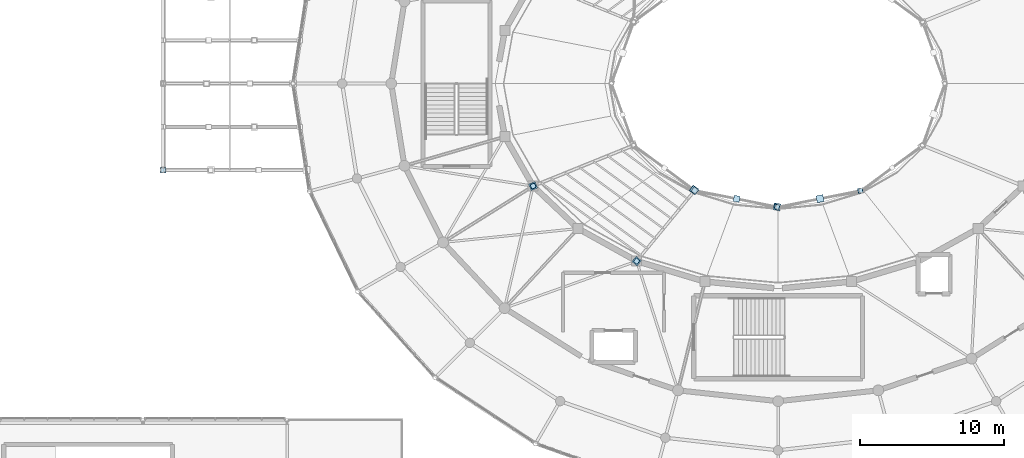
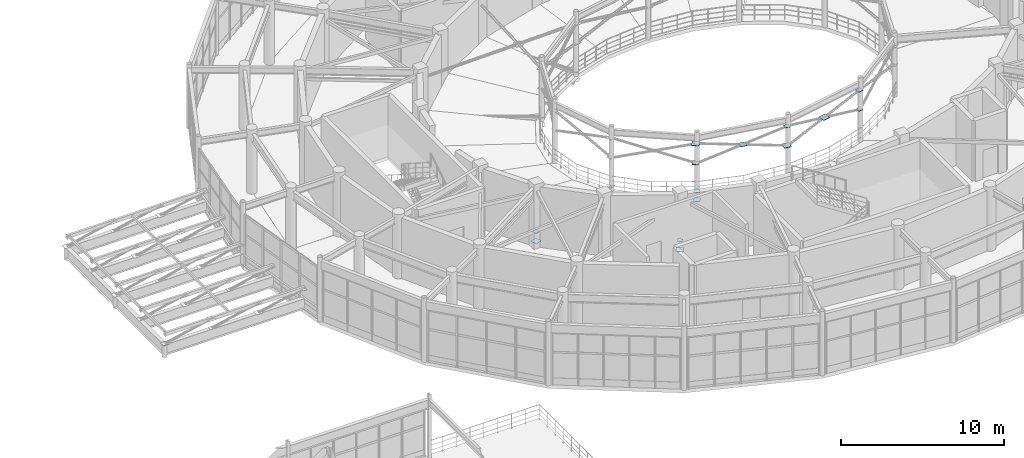
# One storey, part 93 of 144: 15 plates.
"""IFC4 building model written with IfcOpenShell, lengths in metres."""

from ifc_helpers import new_model, si_unit, direction, frame, origin, origin_2d, place, context, subcontext, project, spatial, rectangle, extrude, material, layer, layer_set, type_object, element, save


model = new_model("IFC4")

# Units and contexts
model_context = context("Model", 3, precision=1e-05, world=origin(), true_north=direction((0.0, 1.0)))
body_context = subcontext(model_context, "Body", "Model", "MODEL_VIEW")
ifc_project = project(units=[si_unit("LENGTHUNIT", "METRE"), si_unit("AREAUNIT", "SQUARE_METRE"), si_unit("VOLUMEUNIT", "CUBIC_METRE"), si_unit("PLANEANGLEUNIT", "RADIAN"), si_unit("MASSUNIT", "GRAM", prefix="KILO")], contexts=[model_context])

# Site, building, storey
site_placement = place(None, origin())
site = spatial("IfcSite", under=ifc_project, at=site_placement, CompositionType="ELEMENT")
building_placement = place(site_placement, origin())
building = spatial("IfcBuilding", under=site, at=building_placement, Name="Cinderbank Siding Concert Hall", CompositionType="ELEMENT")
storey_placement = place(building_placement, frame((0.0, 0.0, 5.39990234375)))
storey = spatial("IfcBuildingStorey", under=building, at=storey_placement, Name="L02", CompositionType="ELEMENT", Elevation=5.39990234375)

# Plates
ifc_material = material(Name="Structural steel welded plate section AS/NZS 3679.2 / AS/NZS 3678 Grade 350 (340 MPa)", Category="steel")
ifc_layer_1 = layer(ifc_material, 0.02490234375)
ifc_layer_set_1 = layer_set([ifc_layer_1], Name="Structural steel welded plate section AS/NZS 3679.2 / AS/NZS 3678 Grade 350 (340 MPa)")
plate_type_1 = type_object("IfcPlateType", Name="GP-01 Steel Gusset Cap Plate 480x480x25", PredefinedType="SHEET", material=ifc_layer_set_1)
for number, where, z_axis, x_axis, name in (
    (1, (105.02587890625, 36.89990234375, 0.28759765625), (0.0, 0.0, 1.0), (0.926791059146, 0.375577332499, 0.0), "L02 Steel Node Gusset Plate GP-01 #1020"),
    (2, (112.199951171875, 31.702392578125, 0.28759765625), (0.0, 0.0, 1.0), (0.635269828282, 0.77229025973, 0.0), "L02 Steel Node Gusset Plate GP-01 #1024"),
    (3, (116.16064453125, 36.64306640625, 3.82763671875), (0.0, 0.0, 1.0), (0.803753032213, -0.59496307718, 0.0), "L02 Steel Node Gusset Plate GP-01 #1140"),
    (4, (121.92138671875, 35.465576171875, 2.3876953125), (0.0, 0.0, 1.0), (-0.980887295008, 0.194576757325, 0.0), "L02 Steel Node Gusset Plate GP-01 #1144"),
    (5, (124.90185546875, 36.025634765625, 3.10400390625), (0.0, 0.0, 1.0), (-0.980887295008, -0.194576757325, 0.0), "L02 Steel Node Gusset Plate GP-01 #1148"),
):
    element("IfcPlate", number, at=place(storey_placement, frame(where, z_axis=z_axis, x_axis=x_axis)), inside=storey, type_object=plate_type_1, Name=name, PredefinedType="SHEET", context=body_context, shape_type="SweptSolid", body=[
        extrude(rectangle(XDim=0.47998046875, YDim=0.47998046875, at=origin_2d()), origin(), (0.0, 0.0, 1.0), 0.02490234375),
    ])
ifc_layer_2 = layer(ifc_material, 0.02197265625)
ifc_layer_set_2 = layer_set([ifc_layer_2], Name="Structural steel welded plate section AS/NZS 3679.2 / AS/NZS 3678 Grade 350 (340 MPa)")
plate_type_2 = type_object("IfcPlateType", Name="GP-02 Steel Gusset Cap Plate 420x420x22", PredefinedType="SHEET", material=ifc_layer_set_2)
for number, where, z_axis, x_axis, name in (
    (6, (116.22509765625, 36.595458984375, -0.36083984375), (0.0, 0.0, 1.0), (0.635269828282, 0.77229025973, 0.0), "L02 Steel Node Gusset Plate GP-02 #1025"),
    (7, (116.16064453125, 36.64306640625, 2.38916015625), (0.0, 0.0, 1.0), (-0.803753032213, 0.59496307718, 0.0), "L02 Steel Node Gusset Plate GP-02 #1141"),
    (8, (119.126708984375, 36.02001953125, 3.10546875), (0.0, 0.0, 1.0), (-0.980887295008, 0.194576757325, 0.0), "L02 Steel Node Gusset Plate GP-02 #1145"),
):
    element("IfcPlate", number, at=place(storey_placement, frame(where, z_axis=z_axis, x_axis=x_axis)), inside=storey, type_object=plate_type_2, Name=name, PredefinedType="SHEET", context=body_context, shape_type="SweptSolid", body=[
        extrude(rectangle(XDim=0.419921875, YDim=0.419921875, at=origin_2d()), origin(), (0.0, 0.0, 1.0), 0.02197265625),
    ])
ifc_layer_3 = layer(ifc_material, 0.02001953125)
ifc_layer_set_3 = layer_set([ifc_layer_3], Name="Structural steel welded plate section AS/NZS 3679.2 / AS/NZS 3678 Grade 350 (340 MPa)")
plate_type_3 = type_object("IfcPlateType", Name="GP-03 Steel Gusset Cap Plate 360x360x20", PredefinedType="SHEET", material=ifc_layer_set_3)
for number, where, z_axis, x_axis, name in (
    (9, (79.39990234375, 38.0, 0.93017578125), (0.0, 0.0, 1.0), (1.0, 0.0, 0.0), "L02 Column End Cap Plate GP-03 COL-CNP-01-L02"),
    (10, (116.22509765625, 36.595458984375, 0.2900390625), (0.0, 0.0, 1.0), (-0.635269828282, -0.77229025973, 0.0), "L02 Steel Node Gusset Plate GP-03 #1022"),
    (11, (127.696533203125, 36.579833984375, 3.830078125), (0.0, 0.0, 1.0), (0.980887295008, 0.194576757325, 0.0), "L02 Steel Node Gusset Plate GP-03 #1146"),
):
    element("IfcPlate", number, at=place(storey_placement, frame(where, z_axis=z_axis, x_axis=x_axis)), inside=storey, type_object=plate_type_3, Name=name, PredefinedType="SHEET", context=body_context, shape_type="SweptSolid", body=[
        extrude(rectangle(XDim=0.360107421875, YDim=0.360107421875, at=origin_2d()), origin(), (0.0, 0.0, 1.0), 0.02001953125),
    ])
ifc_layer_4 = layer(ifc_material, 0.02099609375)
ifc_layer_set_4 = layer_set([ifc_layer_4], Name="Structural steel welded plate section AS/NZS 3679.2 / AS/NZS 3678 Grade 350 (340 MPa)")
plate_type_4 = type_object("IfcPlateType", Name="GP-04 Steel Gusset Cap Plate 320x320x21", PredefinedType="SHEET", material=ifc_layer_set_4)
for number, where, z_axis, x_axis, name in (
    (12, (105.02587890625, 36.89990234375, 0.989501953125), (0.0, 0.0, 1.0), (-0.926791059146, -0.375577332499, 0.0), "L02 Steel Node Gusset Plate GP-04 #1019"),
    (13, (112.199951171875, 31.702392578125, 0.989501953125), (0.0, 0.0, 1.0), (-0.635269828282, -0.77229025973, 0.0), "L02 Steel Node Gusset Plate GP-04 #1023"),
    (14, (121.92138671875, 35.465576171875, 3.82958984375), (0.0, 0.0, 1.0), (0.980887295008, -0.194576757325, 0.0), "L02 Steel Node Gusset Plate GP-04 #1143"),
    (15, (127.696533203125, 36.579833984375, 2.3896484375), (0.0, 0.0, 1.0), (-0.980887295008, -0.194576757325, 0.0), "L02 Steel Node Gusset Plate GP-04 #1147"),
):
    element("IfcPlate", number, at=place(storey_placement, frame(where, z_axis=z_axis, x_axis=x_axis)), inside=storey, type_object=plate_type_4, Name=name, PredefinedType="SHEET", context=body_context, shape_type="SweptSolid", body=[
        extrude(rectangle(XDim=0.320068359375, YDim=0.320068359375, at=origin_2d()), origin(), (0.0, 0.0, 1.0), 0.02099609375),
    ])

save(model, "model.ifc")
